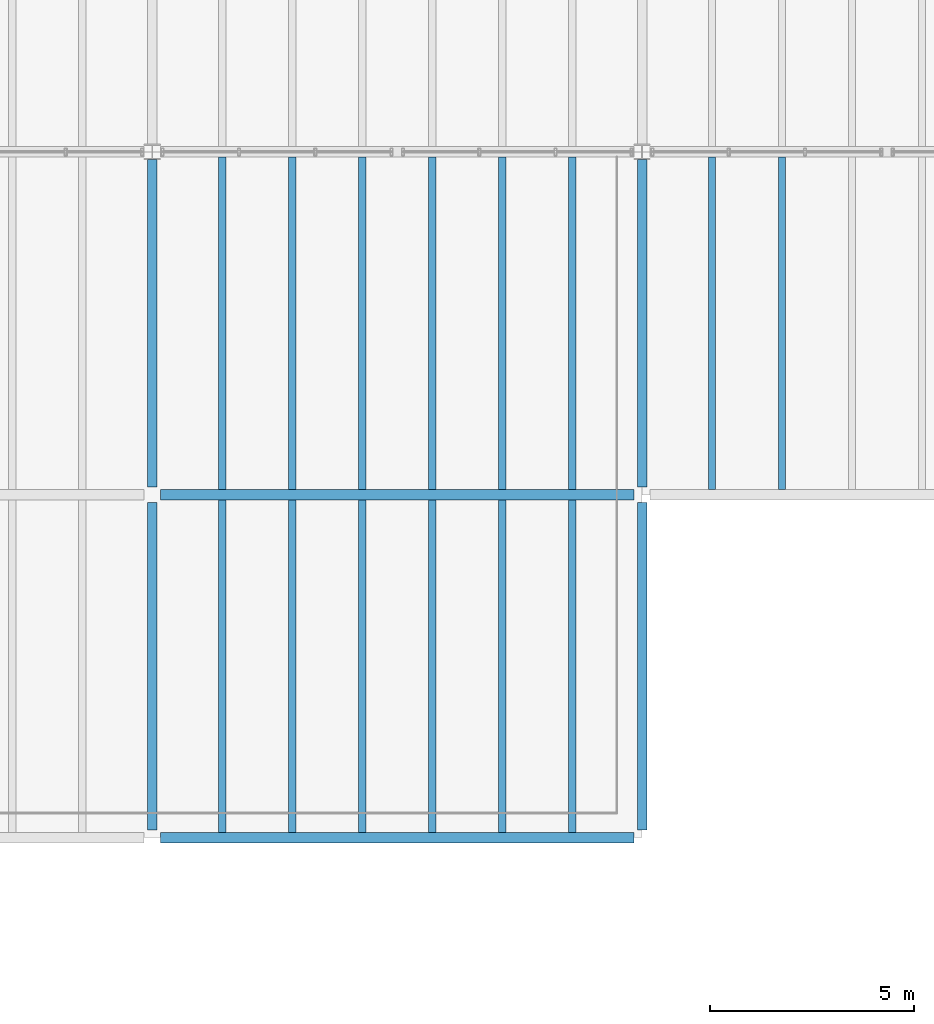
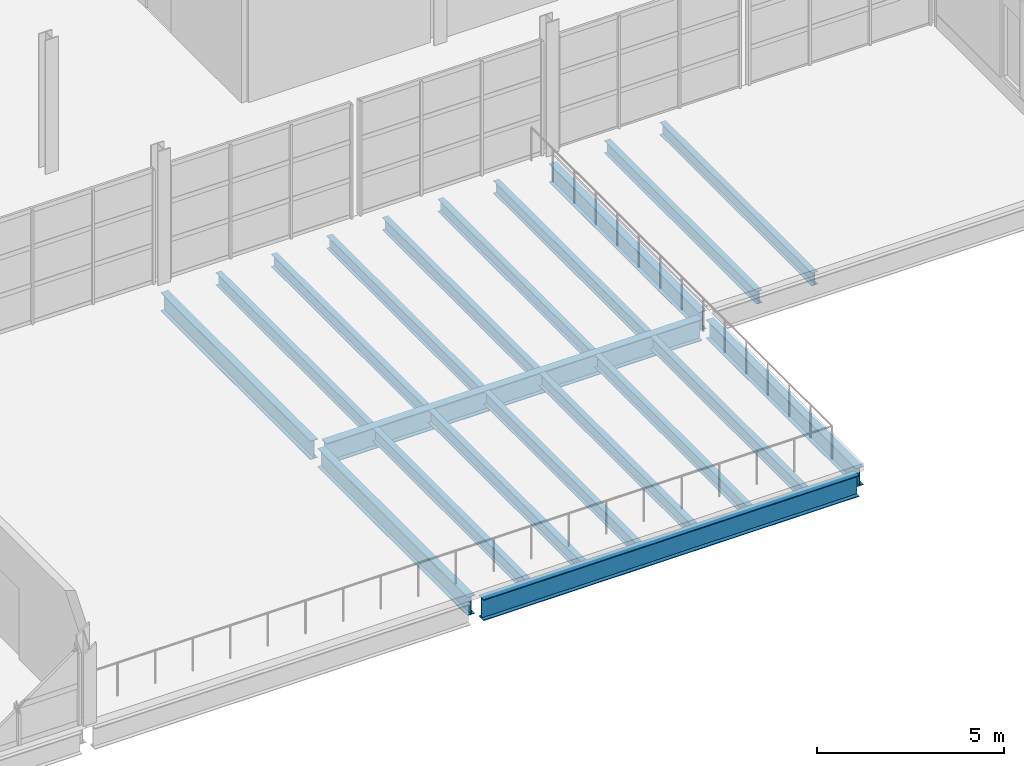
# One storey, part 21 of 78: 20 beams.
"""IFC4 building model written with IfcOpenShell, lengths in metres."""

from ifc_helpers import new_model, si_unit, direction, frame, origin, origin_2d, place, context, subcontext, project, spatial, i_section, extrude, material, material_profile, profile_set, type_object, element, save


model = new_model("IFC4")

# Units and contexts
model_context = context("Model", 3, precision=1e-05, world=origin(), true_north=direction((0.0, 1.0)))
body_context = subcontext(model_context, "Body", "Model", "MODEL_VIEW")
ifc_project = project(units=[si_unit("LENGTHUNIT", "METRE"), si_unit("AREAUNIT", "SQUARE_METRE"), si_unit("VOLUMEUNIT", "CUBIC_METRE"), si_unit("PLANEANGLEUNIT", "RADIAN"), si_unit("MASSUNIT", "GRAM", prefix="KILO")], contexts=[model_context])

# Site, building, storey
site_placement = place(None, origin())
site = spatial("IfcSite", under=ifc_project, at=site_placement, CompositionType="ELEMENT")
building_placement = place(site_placement, origin())
building = spatial("IfcBuilding", under=site, at=building_placement, Name="Kelmvaro Bay Concert Hall", CompositionType="ELEMENT")
storey_placement = place(building_placement, frame((0.0, 0.0, 9.300048828125)))
storey = spatial("IfcBuildingStorey", under=building, at=storey_placement, Name="L02", CompositionType="ELEMENT", Elevation=9.300048828125)

# Beams
ifc_material_1 = material(Name="Steel ASTM A992 Grade 50", Category="steel")
ifc_material_profile_1 = material_profile(ifc_material_1, i_section(OverallWidth=0.256103515625, OverallDepth=0.693115234375, WebThickness=0.014404296875, FlangeThickness=0.023681640625, at=origin_2d()), Name="W27X114")
ifc_profile_set_1 = profile_set([ifc_material_profile_1], Name="Steel ASTM A992 Grade 50")
beam_type_1 = type_object("IfcBeamType", Name="Foyer Primary Girder W27x114", PredefinedType="BEAM", material=ifc_profile_set_1)
for number, where, z_axis, x_axis, name in (
    (1, (96.197998046875, 7.199951171875, -0.586669921875), (1.0, 0.0, 0.0), (0.0, 1.0, 0.0), "L02 Girder BM-L02-EW-0691"),
    (2, (96.197998046875, 15.60009765625, -0.586669921875), (1.0, 0.0, 0.0), (0.0, 1.0, 0.0), "L02 Girder BM-L02-EW-0698"),
):
    element("IfcBeam", number, at=place(storey_placement, frame(where, z_axis=z_axis, x_axis=x_axis)), inside=storey, type_object=beam_type_1, Name=name, PredefinedType="BEAM", context=body_context, shape_type="SweptSolid", body=[
        extrude(i_section(OverallWidth=0.256103515625, OverallDepth=0.693115234375, WebThickness=0.014404296875, FlangeThickness=0.023681640625, at=origin_2d()), origin(), (0.0, 0.0, 1.0), 11.60400390625),
    ])
ifc_material_2 = material(Name="Steel ASTM A992 Grade 50", Category="steel")
ifc_material_profile_2 = material_profile(ifc_material_2, i_section(OverallWidth=0.179931640625, OverallDepth=0.4140625, WebThickness=0.009765625, FlangeThickness=0.01611328125, at=origin_2d()), Name="W16X50")
ifc_profile_set_2 = profile_set([ifc_material_profile_2], Name="Steel ASTM A992 Grade 50")
beam_type_2 = type_object("IfcBeamType", Name="Terrace Composite Joist W16x50", PredefinedType="JOIST", material=ifc_profile_set_2)
for number, where, z_axis, x_axis, name in (
    (3, (97.71435546875, 7.327880859375, -0.447021484375), (0.0, 1.0, 0.0), (-1.0, 0.0, 0.0), "L02 Floor Joist JST-L02-0923"),
    (4, (99.4287109375, 7.327880859375, -0.447021484375), (0.0, 1.0, 0.0), (-1.0, 0.0, 0.0), "L02 Floor Joist JST-L02-0924"),
    (5, (101.142822265625, 7.327880859375, -0.447021484375), (0.0, 1.0, 0.0), (-1.0, 0.0, 0.0), "L02 Floor Joist JST-L02-0925"),
    (6, (102.857177734375, 7.327880859375, -0.447021484375), (0.0, 1.0, 0.0), (-1.0, 0.0, 0.0), "L02 Floor Joist JST-L02-0926"),
    (7, (104.5712890625, 7.327880859375, -0.447021484375), (0.0, 1.0, 0.0), (-1.0, 0.0, 0.0), "L02 Floor Joist JST-L02-0927"),
    (8, (106.28564453125, 7.327880859375, -0.447021484375), (0.0, 1.0, 0.0), (-1.0, 0.0, 0.0), "L02 Floor Joist JST-L02-0928"),
    (9, (97.71435546875, 15.72802734375, -0.447021484375), (0.0, 1.0, 0.0), (-1.0, 0.0, 0.0), "L02 Floor Joist JST-L02-0960"),
    (10, (99.4287109375, 15.72802734375, -0.447021484375), (0.0, 1.0, 0.0), (-1.0, 0.0, 0.0), "L02 Floor Joist JST-L02-0961"),
    (11, (101.142822265625, 15.72802734375, -0.447021484375), (0.0, 1.0, 0.0), (-1.0, 0.0, 0.0), "L02 Floor Joist JST-L02-0962"),
    (12, (102.857177734375, 15.72802734375, -0.447021484375), (0.0, 1.0, 0.0), (-1.0, 0.0, 0.0), "L02 Floor Joist JST-L02-0963"),
    (13, (104.5712890625, 15.72802734375, -0.447021484375), (0.0, 1.0, 0.0), (-1.0, 0.0, 0.0), "L02 Floor Joist JST-L02-0964"),
    (14, (106.28564453125, 15.72802734375, -0.447021484375), (0.0, 1.0, 0.0), (-1.0, 0.0, 0.0), "L02 Floor Joist JST-L02-0965"),
    (15, (109.71435546875, 15.72802734375, -0.337158203125), (0.0, 1.0, 0.0), (-1.0, 0.0, 0.0), "L02 Floor Joist JST-L02-0966"),
    (16, (111.4287109375, 15.72802734375, -0.337158203125), (0.0, 1.0, 0.0), (-1.0, 0.0, 0.0), "L02 Floor Joist JST-L02-0967"),
):
    element("IfcBeam", number, at=place(storey_placement, frame(where, z_axis=z_axis, x_axis=x_axis)), inside=storey, type_object=beam_type_2, Name=name, PredefinedType="JOIST", context=body_context, shape_type="SweptSolid", body=[
        extrude(i_section(OverallWidth=0.179931640625, OverallDepth=0.4140625, WebThickness=0.009765625, FlangeThickness=0.01611328125, at=origin_2d()), origin(), (0.0, 0.0, 1.0), 8.14404296875),
    ])
ifc_material_3 = material(Name="Steel ASTM A992 Grade 50", Category="steel")
ifc_material_profile_3 = material_profile(ifc_material_3, i_section(OverallWidth=0.22900390625, OverallDepth=0.612060546875, WebThickness=0.011962890625, FlangeThickness=0.01953125, at=origin_2d()), Name="W24X84")
ifc_profile_set_3 = profile_set([ifc_material_profile_3], Name="Steel ASTM A992 Grade 50")
beam_type_3 = type_object("IfcBeamType", Name="Terrace Edge Girder W24x84", PredefinedType="BEAM", material=ifc_profile_set_3)
for number, where, z_axis, x_axis, name in (
    (17, (96.0, 7.390380859375, -0.546142578125), (0.0, 1.0, 0.0), (-1.0, 0.0, 0.0), "L02 Girder BM-L02-NS-0845"),
    (18, (96.0, 15.79052734375, -0.546142578125), (0.0, 1.0, 0.0), (-1.0, 0.0, 0.0), "L02 Girder BM-L02-NS-0846"),
    (19, (108.0, 7.390380859375, -0.546142578125), (0.0, 1.0, 0.0), (-1.0, 0.0, 0.0), "L02 Girder BM-L02-NS-0849"),
    (20, (108.0, 15.79052734375, -0.546142578125), (0.0, 1.0, 0.0), (-1.0, 0.0, 0.0), "L02 Girder BM-L02-NS-0850"),
):
    element("IfcBeam", number, at=place(storey_placement, frame(where, z_axis=z_axis, x_axis=x_axis)), inside=storey, type_object=beam_type_3, Name=name, PredefinedType="BEAM", context=body_context, shape_type="SweptSolid", body=[
        extrude(i_section(OverallWidth=0.22900390625, OverallDepth=0.612060546875, WebThickness=0.011962890625, FlangeThickness=0.01953125, at=origin_2d()), origin(), (0.0, 0.0, 1.0), 8.01904296875),
    ])

save(model, "model.ifc")
